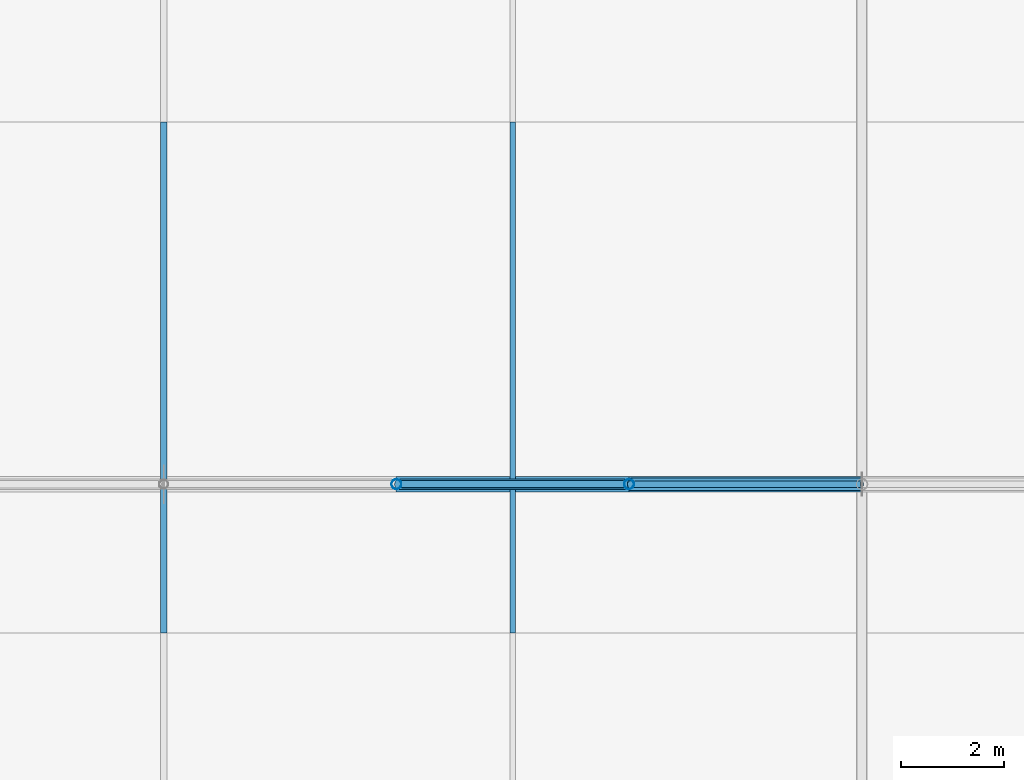
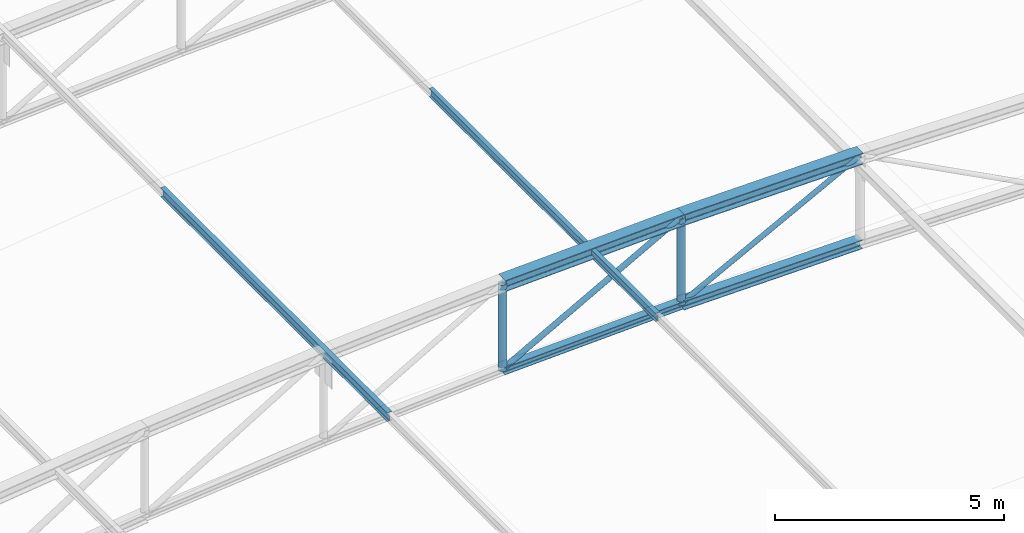
# One storey, part 161 of 262: 10 members.
"""IFC4 building model written with IfcOpenShell, lengths in metres."""

from ifc_helpers import new_model, si_unit, derived_unit, direction, frame, origin, origin_2d, place, context, subcontext, project, spatial, hollow_circle, i_section, extrude, material, material_profile, profile_set, type_object, element, save


model = new_model("IFC4")

# Units and contexts
model_context = context("Model", 3, precision=1e-05, world=origin(), true_north=direction((0.0, 1.0)))
body_context = subcontext(model_context, "Body", "Model", "MODEL_VIEW")
ifc_project = project(units=[si_unit("LENGTHUNIT", "METRE"), si_unit("AREAUNIT", "SQUARE_METRE"), si_unit("VOLUMEUNIT", "CUBIC_METRE"), si_unit("PLANEANGLEUNIT", "RADIAN"), si_unit("MASSUNIT", "GRAM", prefix="KILO"), derived_unit("THERMALTRANSMITTANCEUNIT", [(si_unit("POWERUNIT", "WATT"), 1), (si_unit("LENGTHUNIT", "METRE"), -2), (si_unit("THERMODYNAMICTEMPERATUREUNIT", "KELVIN"), -1)])], contexts=[model_context])

# Site, building, storey
site_placement = place(None, origin())
site = spatial("IfcSite", under=ifc_project, at=site_placement, CompositionType="ELEMENT")
building_placement = place(site_placement, origin())
building = spatial("IfcBuilding", under=site, at=building_placement, Name="Almenara Railside Exhibition Hall", CompositionType="ELEMENT")
storey_placement = place(building_placement, frame((0.0, 0.0, 21.699951171875)))
storey = spatial("IfcBuildingStorey", under=building, at=storey_placement, Name="RF", CompositionType="ELEMENT", Elevation=21.699951171875)

# Members
ifc_material = material(Name="Structural steel S355JR", Category="steel")
ifc_material_profile_1 = material_profile(ifc_material, i_section(OverallWidth=0.239990234375, OverallDepth=0.239990234375, WebThickness=0.010009765625, FlangeThickness=0.01708984375, FilletRadius=0.02099609375, at=origin_2d()), Name="HEB 240")
ifc_profile_set_1 = profile_set([ifc_material_profile_1], Name="Structural steel S355JR")
member_type_1 = type_object("IfcMemberType", Name="Arched Crown Bottom Chord HEB 240 S355JR", PredefinedType="CHORD", material=ifc_profile_set_1)
member_1_placement = place(storey_placement, frame((160.5, 76.0, -7.461181640625), z_axis=(0.999907293085, 0.0, 0.01361635908), x_axis=(0.0, 1.0, 0.0)))
element("IfcMember", 1, at=member_1_placement, inside=storey, type_object=member_type_1, Name="MEM-BC-V2-03-05", PredefinedType="CHORD", context=body_context, shape_type="SweptSolid", body=[
    extrude(i_section(OverallWidth=0.239990234375, OverallDepth=0.239990234375, WebThickness=0.010009765625, FlangeThickness=0.01708984375, FilletRadius=0.02099609375, at=origin_2d()), origin(), (0.0, 0.0, 1.0), 4.50048828125),
])
ifc_material_profile_2 = material_profile(ifc_material, i_section(OverallWidth=0.300048828125, OverallDepth=0.300048828125, WebThickness=0.010986328125, FlangeThickness=0.01904296875, FilletRadius=0.027099609375, at=origin_2d()), Name="HEB 300")
ifc_profile_set_2 = profile_set([ifc_material_profile_2], Name="Structural steel S355JR")
member_type_2 = type_object("IfcMemberType", Name="Arched Inner Top Chord HEB 300 S355JR", PredefinedType="CHORD", material=ifc_profile_set_2)
member_2_placement = place(storey_placement, frame((156.0, 76.0, -5.344482421875), z_axis=(0.99917098071, 0.0, 0.04071057978), x_axis=(0.0, 1.0, 0.0)))
element("IfcMember", 2, at=member_2_placement, inside=storey, type_object=member_type_2, Name="MEM-TC-V2-03-04", PredefinedType="CHORD", context=body_context, shape_type="SweptSolid", body=[
    extrude(i_section(OverallWidth=0.300048828125, OverallDepth=0.300048828125, WebThickness=0.010986328125, FlangeThickness=0.01904296875, FilletRadius=0.027099609375, at=origin_2d()), origin(), (0.0, 0.0, 1.0), 4.503662109375),
])
member_3_placement = place(storey_placement, frame((160.5, 76.0, -5.1611328125), z_axis=(0.999907293085, 0.0, 0.01361635908), x_axis=(0.0, 1.0, 0.0)))
element("IfcMember", 3, at=member_3_placement, inside=storey, type_object=member_type_2, Name="MEM-TC-V2-03-05", PredefinedType="CHORD", context=body_context, shape_type="SweptSolid", body=[
    extrude(i_section(OverallWidth=0.300048828125, OverallDepth=0.300048828125, WebThickness=0.010986328125, FlangeThickness=0.01904296875, FilletRadius=0.027099609375, at=origin_2d()), origin(), (0.0, 0.0, 1.0), 4.50048828125),
])
ifc_material_profile_3 = material_profile(ifc_material, i_section(OverallWidth=0.199951171875, OverallDepth=0.199951171875, WebThickness=0.009033203125, FlangeThickness=0.014892578125, FilletRadius=0.01806640625, at=origin_2d()), Name="HEB 200")
ifc_profile_set_3 = profile_set([ifc_material_profile_3], Name="Structural steel S355JR")
member_type_3 = type_object("IfcMemberType", Name="Canopy Collar Chord HEB 200 S355JR", PredefinedType="CHORD", material=ifc_profile_set_3)
member_4_placement = place(storey_placement, frame((156.0, 76.0, -7.644287109375), z_axis=(0.999173184279, 0.0, 0.040656460949), x_axis=(0.0, 1.0, 0.0)))
element("IfcMember", 4, at=member_4_placement, inside=storey, type_object=member_type_3, Name="MEM-BC-V2-03-04", PredefinedType="CHORD", context=body_context, shape_type="SweptSolid", body=[
    extrude(i_section(OverallWidth=0.199951171875, OverallDepth=0.199951171875, WebThickness=0.009033203125, FlangeThickness=0.014892578125, FilletRadius=0.01806640625, at=origin_2d()), origin(), (0.0, 0.0, 1.0), 4.503662109375),
])
ifc_material_profile_4 = material_profile(ifc_material, i_section(OverallWidth=0.110107421875, OverallDepth=0.219970703125, WebThickness=0.005859375, FlangeThickness=0.00927734375, FilletRadius=0.011962890625, at=origin_2d()), Name="IPE 220")
ifc_profile_set_4 = profile_set([ifc_material_profile_4], Name="Structural steel S355JR")
member_type_4 = type_object("IfcMemberType", Name="Heavy Hall Roof Purlin IPE 220 S355JR", PredefinedType="PURLIN", material=ifc_profile_set_4)
member_5_placement = place(storey_placement, frame((158.25, 73.1201171875, -5.294677734375), z_axis=(0.0, 1.0, 0.0), x_axis=(-1.0, 0.0, 0.0)))
element("IfcMember", 5, at=member_5_placement, inside=storey, type_object=member_type_4, Name="MEM-PR-V2-PR-IPE220-03-13", PredefinedType="PURLIN", context=body_context, shape_type="SweptSolid", body=[
    extrude(i_section(OverallWidth=0.110107421875, OverallDepth=0.219970703125, WebThickness=0.005859375, FlangeThickness=0.00927734375, FilletRadius=0.011962890625, at=origin_2d()), origin(), (0.0, 0.0, 1.0), 9.8798828125),
])
ifc_material_profile_5 = material_profile(ifc_material, i_section(OverallWidth=0.1201171875, OverallDepth=0.239990234375, WebThickness=0.006103515625, FlangeThickness=0.009765625, FilletRadius=0.014892578125, at=origin_2d()), Name="IPE 240")
ifc_profile_set_5 = profile_set([ifc_material_profile_5], Name="Structural steel S355JR")
member_type_5 = type_object("IfcMemberType", Name="Scroll Roof Purlin IPE 240 S355JR", PredefinedType="PURLIN", material=ifc_profile_set_5)
member_6_placement = place(storey_placement, frame((151.5, 73.1201171875, -5.582275390625), z_axis=(0.0, 1.0, 0.0), x_axis=(-1.0, 0.0, 0.0)))
element("IfcMember", 6, at=member_6_placement, inside=storey, type_object=member_type_5, Name="MEM-PR-V2-PR-IPE240-02-13", PredefinedType="PURLIN", context=body_context, shape_type="SweptSolid", body=[
    extrude(i_section(OverallWidth=0.1201171875, OverallDepth=0.239990234375, WebThickness=0.006103515625, FlangeThickness=0.009765625, FilletRadius=0.014892578125, at=origin_2d()), origin(), (0.0, 0.0, 1.0), 9.8798828125),
])
ifc_material_profile_6 = material_profile(ifc_material, hollow_circle(Radius=0.0634765625, WallThickness=0.00439453125, at=origin_2d()), Name="CHS 127.0x4.5")
ifc_profile_set_6 = profile_set([ifc_material_profile_6], Name="Structural steel S355JR")
member_type_6 = type_object("IfcMemberType", Name="Truss Crown Diagonal CHS 127.0x4.5 S355JR", PredefinedType="BRACE", material=ifc_profile_set_6)
member_7_placement = place(storey_placement, frame((160.5, 76.0, -7.461181640625), z_axis=(0.885492789601, 0.0, 0.46465311746), x_axis=(0.0, 1.0, 0.0)))
element("IfcMember", 7, at=member_7_placement, inside=storey, type_object=member_type_6, Name="MEM-TD-V2-03-05", PredefinedType="BRACE", context=body_context, shape_type="SweptSolid", body=[
    extrude(hollow_circle(Radius=0.0634765625, WallThickness=0.00439453125, at=origin_2d()), origin(), (0.0, 0.0, 1.0), 5.08203125),
])
ifc_material_profile_7 = material_profile(ifc_material, hollow_circle(Radius=0.06982421875, WallThickness=0.0048828125, at=origin_2d()), Name="CHS 139.7x5")
ifc_profile_set_7 = profile_set([ifc_material_profile_7], Name="Structural steel S355JR")
member_type_7 = type_object("IfcMemberType", Name="Truss Inner Diagonal CHS 139.7x5 S355JR", PredefinedType="BRACE", material=ifc_profile_set_7)
member_8_placement = place(storey_placement, frame((156.0, 76.0, -7.644287109375), z_axis=(0.875545119572, 0.0, 0.483136361283), x_axis=(0.0, 1.0, 0.0)))
element("IfcMember", 8, at=member_8_placement, inside=storey, type_object=member_type_7, Name="MEM-TD-V2-03-04", PredefinedType="BRACE", context=body_context, shape_type="SweptSolid", body=[
    extrude(hollow_circle(Radius=0.06982421875, WallThickness=0.0048828125, at=origin_2d()), origin(), (0.0, 0.0, 1.0), 5.1396484375),
])
ifc_material_profile_8 = material_profile(ifc_material, hollow_circle(Radius=0.096923828125, WallThickness=0.00634765625, at=origin_2d()), Name="CHS 193.7x6.3")
ifc_profile_set_8 = profile_set([ifc_material_profile_8], Name="Structural steel S355JR")
member_type_8 = type_object("IfcMemberType", Name="Truss Standard Vertical Strut CHS 193.7x6.3 S355JR", PredefinedType="BRACE", material=ifc_profile_set_8)
member_9_placement = place(storey_placement, frame((156.0, 76.0, -7.644287109375), z_axis=(0.0, 0.0, 1.0), x_axis=(1.0, 0.0, 0.0)))
element("IfcMember", 9, at=member_9_placement, inside=storey, type_object=member_type_8, Name="MEM-TV-V2-03-04", PredefinedType="BRACE", context=body_context, shape_type="SweptSolid", body=[
    extrude(hollow_circle(Radius=0.096923828125, WallThickness=0.00634765625, at=origin_2d()), origin(), (0.0, 0.0, 1.0), 2.2998046875),
])
member_10_placement = place(storey_placement, frame((160.5, 76.0, -7.461181640625), z_axis=(0.0, 0.0, 1.0), x_axis=(1.0, 0.0, 0.0)))
element("IfcMember", 10, at=member_10_placement, inside=storey, type_object=member_type_8, Name="MEM-TV-V2-03-05", PredefinedType="BRACE", context=body_context, shape_type="SweptSolid", body=[
    extrude(hollow_circle(Radius=0.096923828125, WallThickness=0.00634765625, at=origin_2d()), origin(), (0.0, 0.0, 1.0), 2.300048828125),
])

save(model, "model.ifc")
